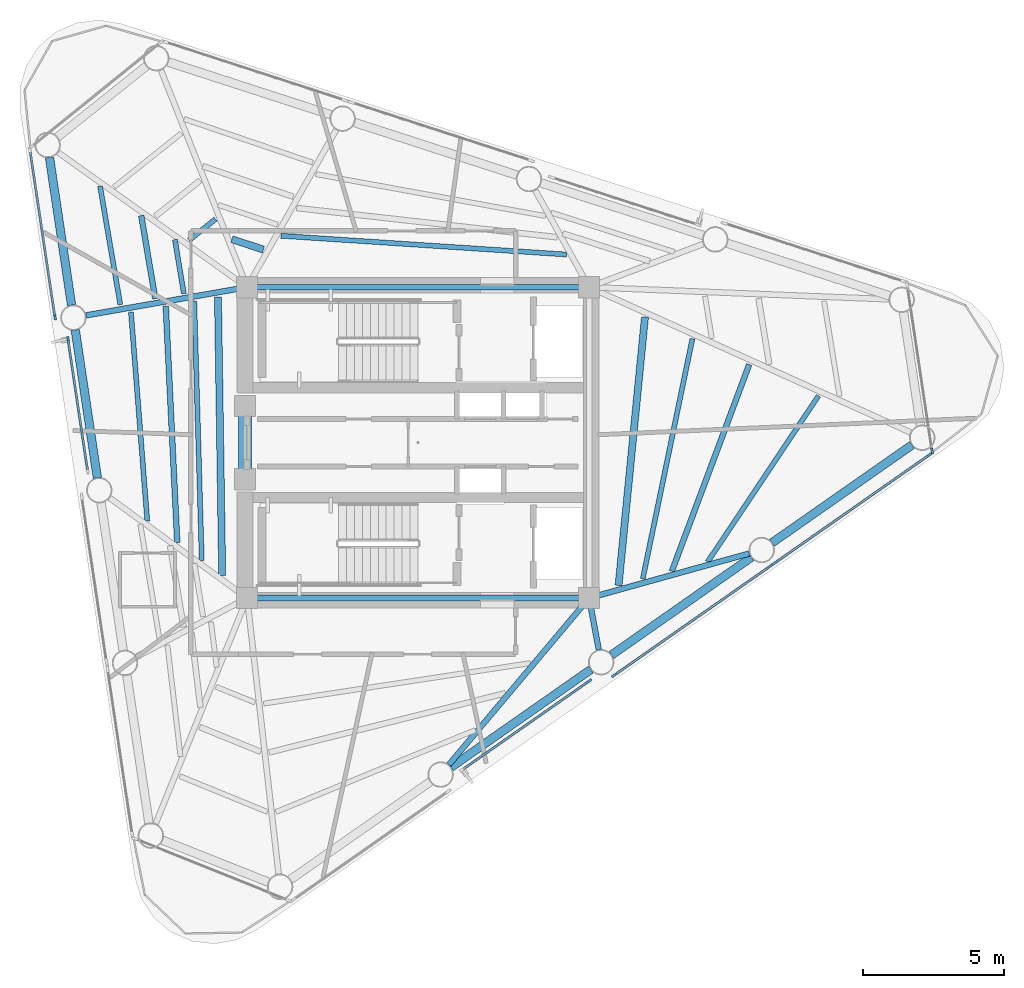
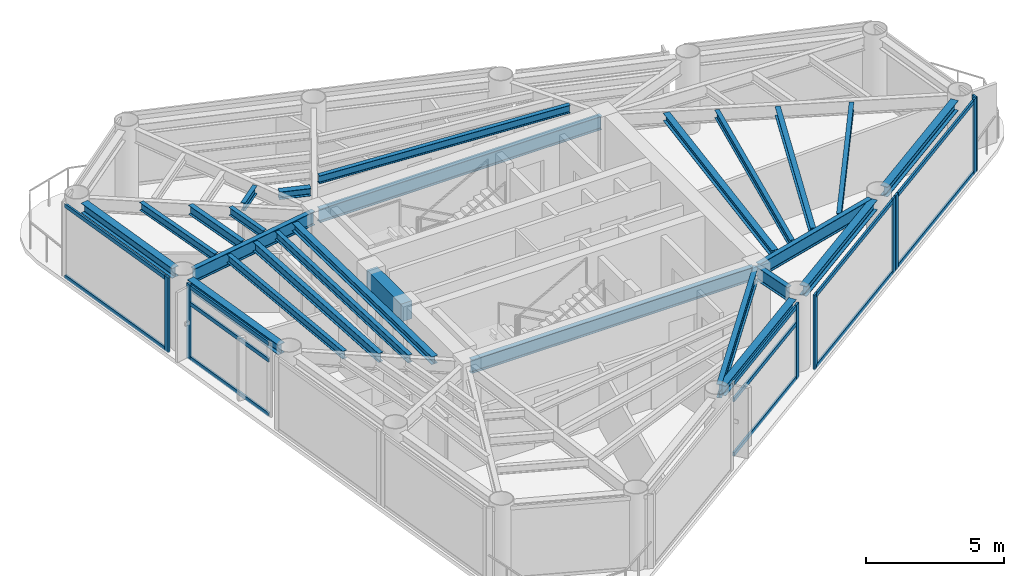
# One storey, part 2 of 9: 26 beams, 20 members, 6 elements without a shape of their own.
"""IFC4 building model written with IfcOpenShell, lengths in metres."""

from ifc_helpers import new_model, si_unit, direction, frame, origin, origin_2d, place, context, subcontext, project, spatial, rectangle, i_section, extrude, source, transform, mapped, material, layer, layer_set, material_profile, profile_set, type_object, element, aggregate, save


model = new_model("IFC4")

# Units and contexts
model_context = context("Model", 3, precision=1e-05, world=origin(), true_north=direction((0.0, 1.0)))
body_context = subcontext(model_context, "Body", "Model", "MODEL_VIEW")
ifc_project = project(units=[si_unit("LENGTHUNIT", "METRE"), si_unit("AREAUNIT", "SQUARE_METRE"), si_unit("VOLUMEUNIT", "CUBIC_METRE"), si_unit("PLANEANGLEUNIT", "RADIAN"), si_unit("MASSUNIT", "GRAM", prefix="KILO")], contexts=[model_context])

# Site, building, storey
site_placement = place(None, origin())
site = spatial("IfcSite", under=ifc_project, at=site_placement, CompositionType="ELEMENT")
building_placement = place(site_placement, origin())
building = spatial("IfcBuilding", under=site, at=building_placement, Name="Yunling Apex Tower", CompositionType="ELEMENT")
storey_placement = place(building_placement, frame((0.0, 0.0, 260.949951171875)))
storey = spatial("IfcBuildingStorey", under=building, at=storey_placement, Name="L63", CompositionType="ELEMENT", Elevation=260.949951171875)

# Beams
ifc_material_1 = material(Name="Concrete C40", Category="concrete")
ifc_material_profile_1 = material_profile(ifc_material_1, rectangle(XDim=0.449951171875, YDim=0.800048828125, at=origin_2d()))
ifc_profile_set_1 = profile_set([ifc_material_profile_1], Name="Concrete C40")
beam_type_1 = type_object("IfcBeamType", Name="BC-CPL-3", PredefinedType="BEAM", material=ifc_profile_set_1)
shared_shape_1 = source(origin(), body_context, "Body", "SweptSolid", [
    extrude(rectangle(XDim=0.449951171875, YDim=0.800048828125, at=origin_2d()), origin(), (0.0, 0.0, 1.0), 2.5),
])
beam_1_placement = place(storey_placement, frame((-6.125, -1.25, 2.820068359375), z_axis=(0.0, 1.0, 0.0), x_axis=(-1.0, 0.0, 0.0)))
element("IfcBeam", 1, at=beam_1_placement, inside=storey, type_object=beam_type_1, Name="L63 Core West Portal Coupling Beam", PredefinedType="BEAM", context=body_context, shape_type="MappedRepresentation", body=[
    mapped(shared_shape_1, transform((0.0, 0.0, 0.0), scale=1.0)),
])
ifc_material_2 = material(Name="Steel Q355B", Category="steel")
ifc_material_profile_2 = material_profile(ifc_material_2, i_section(OverallWidth=0.199951171875, OverallDepth=0.60009765625, WebThickness=0.010986328125, FlangeThickness=0.01708984375, FilletRadius=0.02197265625, at=origin_2d()))
ifc_profile_set_2 = profile_set([ifc_material_profile_2], Name="Steel Q355B")
beam_type_2 = type_object("IfcBeamType", Name="BG-PRI-5", PredefinedType="USERDEFINED", material=ifc_profile_set_2)
shared_shape_2 = source(origin(), body_context, "Body", "SweptSolid", [
    extrude(i_section(OverallWidth=0.199951171875, OverallDepth=0.60009765625, WebThickness=0.010986328125, FlangeThickness=0.01708984375, FilletRadius=0.02197265625, at=origin_2d()), origin(), (0.0, 0.0, 1.0), 11.7998046875),
])
for number, where, z_axis, x_axis, name in (
    (2, (-5.89990234375, -5.5, 2.920166015625), (1.0, 0.0, 0.0), (0.0, 1.0, 0.0), "L63 Core Ring Tie Beam 1"),
    (3, (5.89990234375, 5.5, 2.920166015625), (-1.0, 0.0, 0.0), (0.0, -1.0, 0.0), "L63 Core Ring Tie Beam 3"),
):
    element("IfcBeam", number, at=place(storey_placement, frame(where, z_axis=z_axis, x_axis=x_axis)), inside=storey, type_object=beam_type_2, Name=name, ObjectType="GIRDER", PredefinedType="USERDEFINED", context=body_context, shape_type="MappedRepresentation", body=[
        mapped(shared_shape_2, transform((0.0, 0.0, 0.0), scale=1.0)),
    ])
ifc_material_profile_3 = material_profile(ifc_material_2, i_section(OverallWidth=0.300048828125, OverallDepth=0.43994140625, WebThickness=0.010986328125, FlangeThickness=0.01806640625, FilletRadius=0.02197265625, at=origin_2d()))
ifc_profile_set_3 = profile_set([ifc_material_profile_3], Name="Steel Q355B")
beam_type_3 = type_object("IfcBeamType", Name="BP-SPN-3", PredefinedType="SPANDREL", material=ifc_profile_set_3)
shared_shape_3 = source(origin(), body_context, "Body", "SweptSolid", [
    extrude(i_section(OverallWidth=0.300048828125, OverallDepth=0.43994140625, WebThickness=0.010986328125, FlangeThickness=0.01806640625, FilletRadius=0.02197265625, at=origin_2d()), origin(), (0.0, 0.0, 1.0), 6.043701171875),
])
for number, where, z_axis, x_axis, name in (
    (4, (1.160888671875, -11.490478515625, 3.0), (0.819546828705, 0.5730122124, 0.0), (-0.5730122124, 0.819546828705, 0.0), "L63 Perimeter Spandrel Beam 2"),
    (5, (6.841796875, -7.5185546875, 3.0), (0.819546828705, 0.5730122124, 0.0), (-0.5730122124, 0.819546828705, 0.0), "L63 Perimeter Spandrel Beam 3"),
    (6, (12.522705078125, -3.546630859375, 3.0), (0.819546828705, 0.5730122124, 0.0), (-0.5730122124, 0.819546828705, 0.0), "L63 Perimeter Spandrel Beam 4"),
):
    element("IfcBeam", number, at=place(storey_placement, frame(where, z_axis=z_axis, x_axis=x_axis)), inside=storey, type_object=beam_type_3, Name=name, PredefinedType="SPANDREL", context=body_context, shape_type="MappedRepresentation", body=[
        mapped(shared_shape_3, transform((0.0, 0.0, 0.0), scale=1.0)),
    ])
shared_shape_4 = source(origin(), body_context, "Body", "SweptSolid", [
    extrude(i_section(OverallWidth=0.300048828125, OverallDepth=0.43994140625, WebThickness=0.010986328125, FlangeThickness=0.01806640625, FilletRadius=0.02197265625, at=origin_2d()), origin(), (0.0, 0.0, 1.0), 5.289306640625),
])
for number, where, z_axis, x_axis, name in (
    (7, (-13.044189453125, 10.09326171875, 3.0), (0.147841619944, -0.989011049186, 0.0), (0.989011049186, 0.147841619944, 0.0), "L63 Perimeter Spandrel Beam 11"),
    (8, (-12.131103515625, 3.98388671875, 3.0), (0.147796471114, -0.989017797174, 0.0), (0.989017797174, 0.147796471114, 0.0), "L63 Perimeter Spandrel Beam 12"),
):
    element("IfcBeam", number, at=place(storey_placement, frame(where, z_axis=z_axis, x_axis=x_axis)), inside=storey, type_object=beam_type_3, Name=name, PredefinedType="SPANDREL", context=body_context, shape_type="MappedRepresentation", body=[
        mapped(shared_shape_4, transform((0.0, 0.0, 0.0), scale=1.0)),
    ])
shared_shape_5 = source(origin(), body_context, "Body", "SweptSolid", [
    extrude(i_section(OverallWidth=0.199951171875, OverallDepth=0.60009765625, WebThickness=0.010986328125, FlangeThickness=0.01708984375, FilletRadius=0.02197265625, at=origin_2d()), origin(), (0.0, 0.0, 1.0), 7.622314453125),
])
beam_2_placement = place(storey_placement, frame((1.091796875, -11.394287109375, 2.920166015625), z_axis=(0.64373126237, 0.765251633025, 0.0), x_axis=(-0.765251633025, 0.64373126237, 0.0)))
element("IfcBeam", 9, at=beam_2_placement, inside=storey, type_object=beam_type_2, Name="L63 Radial Primary Girder R02", ObjectType="GIRDER", PredefinedType="USERDEFINED", context=body_context, shape_type="MappedRepresentation", body=[
    mapped(shared_shape_5, transform((0.0, 0.0, 0.0), scale=1.0)),
])
shared_shape_6 = source(origin(), body_context, "Body", "SweptSolid", [
    extrude(i_section(OverallWidth=0.199951171875, OverallDepth=0.60009765625, WebThickness=0.010986328125, FlangeThickness=0.01708984375, FilletRadius=0.02197265625, at=origin_2d()), origin(), (0.0, 0.0, 1.0), 1.775146484375),
])
beam_3_placement = place(storey_placement, frame((6.393310546875, -7.322998046875, 2.920166015625), z_axis=(-0.185127194989, 0.982714567754, 0.0), x_axis=(-0.982714567754, -0.185127194989, 0.0)))
element("IfcBeam", 10, at=beam_3_placement, inside=storey, type_object=beam_type_2, Name="L63 Radial Primary Girder R03", ObjectType="GIRDER", PredefinedType="USERDEFINED", context=body_context, shape_type="MappedRepresentation", body=[
    mapped(shared_shape_6, transform((0.0, 0.0, 0.0), scale=1.0)),
])
shared_shape_7 = source(origin(), body_context, "Body", "SweptSolid", [
    extrude(i_section(OverallWidth=0.199951171875, OverallDepth=0.60009765625, WebThickness=0.010986328125, FlangeThickness=0.01708984375, FilletRadius=0.02197265625, at=origin_2d()), origin(), (0.0, 0.0, 1.0), 5.802490234375),
])
beam_4_placement = place(storey_placement, frame((11.717529296875, -3.923828125, 2.920166015625), z_axis=(-0.963437091081, -0.267934640405, 0.0), x_axis=(0.267934640405, -0.963437091081, 0.0)))
element("IfcBeam", 11, at=beam_4_placement, inside=storey, type_object=beam_type_2, Name="L63 Radial Primary Girder R04", ObjectType="GIRDER", PredefinedType="USERDEFINED", context=body_context, shape_type="MappedRepresentation", body=[
    mapped(shared_shape_7, transform((0.0, 0.0, 0.0), scale=1.0)),
])
shared_shape_8 = source(origin(), body_context, "Body", "SweptSolid", [
    extrude(i_section(OverallWidth=0.199951171875, OverallDepth=0.60009765625, WebThickness=0.010986328125, FlangeThickness=0.01708984375, FilletRadius=0.02197265625, at=origin_2d()), origin(), (0.0, 0.0, 1.0), 5.7021484375),
])
beam_5_placement = place(storey_placement, frame((-11.74560546875, 4.501953125, 2.920166015625), z_axis=(0.984994459553, 0.172585963073, 0.0), x_axis=(-0.172585963073, 0.984994459553, 0.0)))
element("IfcBeam", 12, at=beam_5_placement, inside=storey, type_object=beam_type_2, Name="L63 Radial Primary Girder R12", ObjectType="GIRDER", PredefinedType="USERDEFINED", context=body_context, shape_type="MappedRepresentation", body=[
    mapped(shared_shape_8, transform((0.0, 0.0, 0.0), scale=1.0)),
])
ifc_material_profile_4 = material_profile(ifc_material_2, i_section(OverallWidth=0.199951171875, OverallDepth=0.39990234375, WebThickness=0.008056640625, FlangeThickness=0.012939453125, FilletRadius=0.01611328125, at=origin_2d()))
ifc_profile_set_4 = profile_set([ifc_material_profile_4], Name="Steel Q355B")
beam_type_4 = type_object("IfcBeamType", Name="BS-SEC-4", PredefinedType="BEAM", material=ifc_profile_set_4)
shared_shape_9 = source(origin(), body_context, "Body", "SweptSolid", [
    extrude(i_section(OverallWidth=0.199951171875, OverallDepth=0.39990234375, WebThickness=0.008056640625, FlangeThickness=0.012939453125, FilletRadius=0.01611328125, at=origin_2d()), origin(), (0.0, 0.0, 1.0), 7.810546875),
])
beam_6_placement = place(storey_placement, frame((8.978515625, -4.551513671875, 3.02001953125), z_axis=(0.350554744198, 0.936542242144, 0.0), x_axis=(-0.936542242144, 0.350554744198, 0.0)))
element("IfcBeam", 13, at=beam_6_placement, inside=storey, type_object=beam_type_4, Name="L63 Composite Floor Beam BS-4", PredefinedType="BEAM", context=body_context, shape_type="MappedRepresentation", body=[
    mapped(shared_shape_9, transform((0.0, 0.0, 0.0), scale=1.0)),
])
ifc_material_profile_5 = material_profile(ifc_material_2, i_section(OverallWidth=0.175048828125, OverallDepth=0.35009765625, WebThickness=0.007080078125, FlangeThickness=0.010986328125, FilletRadius=0.013916015625, at=origin_2d()))
ifc_profile_set_5 = profile_set([ifc_material_profile_5], Name="Steel Q355B")
beam_type_5 = type_object("IfcBeamType", Name="BJ-JST-1", PredefinedType="JOIST", material=ifc_profile_set_5)
shared_shape_10 = source(origin(), body_context, "Body", "SweptSolid", [
    extrude(i_section(OverallWidth=0.175048828125, OverallDepth=0.35009765625, WebThickness=0.007080078125, FlangeThickness=0.010986328125, FilletRadius=0.013916015625, at=origin_2d()), origin(), (0.0, 0.0, 1.0), 7.07373046875),
])
beam_7_placement = place(storey_placement, frame((10.240966796875, -4.22607421875, 3.045166015625), z_axis=(0.555384960756, 0.831593377418, 0.0), x_axis=(-0.831593377418, 0.555384960756, 0.0)))
element("IfcBeam", 14, at=beam_7_placement, inside=storey, type_object=beam_type_5, Name="L63 Composite Floor Joist BJ1-4", PredefinedType="JOIST", context=body_context, shape_type="MappedRepresentation", body=[
    mapped(shared_shape_10, transform((0.0, 0.0, 0.0), scale=1.0)),
])
shared_shape_11 = source(origin(), body_context, "Body", "SweptSolid", [
    extrude(i_section(OverallWidth=0.175048828125, OverallDepth=0.35009765625, WebThickness=0.007080078125, FlangeThickness=0.010986328125, FilletRadius=0.013916015625, at=origin_2d()), origin(), (0.0, 0.0, 1.0), 8.68017578125),
])
beam_8_placement = place(storey_placement, frame((7.948486328125, -4.824462890625, 3.045166015625), z_axis=(0.202510736311, 0.97928004252, 0.0), x_axis=(-0.97928004252, 0.202510736311, 0.0)))
element("IfcBeam", 15, at=beam_8_placement, inside=storey, type_object=beam_type_5, Name="L63 Composite Floor Joist BJ3-4", PredefinedType="JOIST", context=body_context, shape_type="MappedRepresentation", body=[
    mapped(shared_shape_11, transform((0.0, 0.0, 0.0), scale=1.0)),
])
ifc_material_profile_6 = material_profile(ifc_material_2, i_section(OverallWidth=0.25, OverallDepth=0.340087890625, WebThickness=0.009033203125, FlangeThickness=0.013916015625, FilletRadius=0.01806640625, at=origin_2d()))
ifc_profile_set_6 = profile_set([ifc_material_profile_6], Name="Steel Q355B")
beam_type_6 = type_object("IfcBeamType", Name="BJ-JST-2", PredefinedType="JOIST", material=ifc_profile_set_6)
shared_shape_12 = source(origin(), body_context, "Body", "SweptSolid", [
    extrude(i_section(OverallWidth=0.25, OverallDepth=0.340087890625, WebThickness=0.009033203125, FlangeThickness=0.013916015625, FilletRadius=0.01806640625, at=origin_2d()), origin(), (0.0, 0.0, 1.0), 9.54052734375),
])
beam_9_placement = place(storey_placement, frame((7.093017578125, -5.05517578125, 3.050048828125), z_axis=(0.098008759691, 0.995185552057, 0.0), x_axis=(-0.995185552057, 0.098008759691, 0.0)))
element("IfcBeam", 16, at=beam_9_placement, inside=storey, type_object=beam_type_6, Name="L63 Composite Floor Joist BJ2-4", PredefinedType="JOIST", context=body_context, shape_type="MappedRepresentation", body=[
    mapped(shared_shape_12, transform((0.0, 0.0, 0.0), scale=1.0)),
])
shared_shape_13 = source(origin(), body_context, "Body", "SweptSolid", [
    extrude(i_section(OverallWidth=0.175048828125, OverallDepth=0.35009765625, WebThickness=0.007080078125, FlangeThickness=0.010986328125, FilletRadius=0.013916015625, at=origin_2d()), origin(), (0.0, 0.0, 1.0), 10.130615234375),
])
beam_10_placement = place(storey_placement, frame((5.254150390625, 6.654541015625, 3.045166015625), z_axis=(-0.997852458327, 0.065501690135, 0.0), x_axis=(-0.065501690135, -0.997852458327, 0.0)))
element("IfcBeam", 17, at=beam_10_placement, inside=storey, type_object=beam_type_5, Name="L63 Composite Floor Joist BJ3-8", PredefinedType="JOIST", context=body_context, shape_type="MappedRepresentation", body=[
    mapped(shared_shape_13, transform((0.0, 0.0, 0.0), scale=1.0)),
])
shared_shape_14 = source(origin(), body_context, "Body", "SweptSolid", [
    extrude(i_section(OverallWidth=0.25, OverallDepth=0.340087890625, WebThickness=0.009033203125, FlangeThickness=0.013916015625, FilletRadius=0.01806640625, at=origin_2d()), origin(), (0.0, 0.0, 1.0), 1.1728515625),
])
beam_11_placement = place(storey_placement, frame((-5.4775390625, 6.8291015625, 3.050048828125), z_axis=(-0.949595193506, 0.31347881662, 0.0), x_axis=(-0.31347881662, -0.949595193506, 0.0)))
element("IfcBeam", 18, at=beam_11_placement, inside=storey, type_object=beam_type_6, Name="L63 Composite Floor Joist BJ2-9", PredefinedType="JOIST", context=body_context, shape_type="MappedRepresentation", body=[
    mapped(shared_shape_14, transform((0.0, 0.0, 0.0), scale=1.0)),
])
shared_shape_15 = source(origin(), body_context, "Body", "SweptSolid", [
    extrude(i_section(OverallWidth=0.175048828125, OverallDepth=0.35009765625, WebThickness=0.007080078125, FlangeThickness=0.010986328125, FilletRadius=0.013916015625, at=origin_2d()), origin(), (0.0, 0.0, 1.0), 1.2021484375),
])
beam_12_placement = place(storey_placement, frame((-7.169921875, 7.9072265625, 3.045166015625), z_axis=(-0.781225299788, -0.624249173785, 0.0), x_axis=(0.624249173785, -0.781225299788, 0.0)))
element("IfcBeam", 19, at=beam_12_placement, inside=storey, type_object=beam_type_5, Name="L63 Composite Floor Joist BJ3-10", PredefinedType="JOIST", context=body_context, shape_type="MappedRepresentation", body=[
    mapped(shared_shape_15, transform((0.0, 0.0, 0.0), scale=1.0)),
])
shared_shape_16 = source(origin(), body_context, "Body", "SweptSolid", [
    extrude(i_section(OverallWidth=0.199951171875, OverallDepth=0.39990234375, WebThickness=0.008056640625, FlangeThickness=0.012939453125, FilletRadius=0.01611328125, at=origin_2d()), origin(), (0.0, 0.0, 1.0), 2.980712890625),
])
beam_13_placement = place(storey_placement, frame((-9.796630859375, 8.031982421875, 3.02001953125), z_axis=(0.166351127682, -0.986066581078, 0.0), x_axis=(0.986066581078, 0.166351127682, 0.0)))
element("IfcBeam", 20, at=beam_13_placement, inside=storey, type_object=beam_type_4, Name="L63 Composite Floor Beam BS-11", PredefinedType="BEAM", context=body_context, shape_type="MappedRepresentation", body=[
    mapped(shared_shape_16, transform((0.0, 0.0, 0.0), scale=1.0)),
])
shared_shape_17 = source(origin(), body_context, "Body", "SweptSolid", [
    extrude(i_section(OverallWidth=0.175048828125, OverallDepth=0.35009765625, WebThickness=0.007080078125, FlangeThickness=0.010986328125, FilletRadius=0.013916015625, at=origin_2d()), origin(), (0.0, 0.0, 1.0), 4.2548828125),
])
beam_14_placement = place(storey_placement, frame((-11.253173828125, 9.0703125, 3.045166015625), z_axis=(0.168352217176, -0.985726904864, 0.0), x_axis=(0.985726904864, 0.168352217176, 0.0)))
element("IfcBeam", 21, at=beam_14_placement, inside=storey, type_object=beam_type_5, Name="L63 Composite Floor Joist BJ1-11", PredefinedType="JOIST", context=body_context, shape_type="MappedRepresentation", body=[
    mapped(shared_shape_17, transform((0.0, 0.0, 0.0), scale=1.0)),
])
shared_shape_18 = source(origin(), body_context, "Body", "SweptSolid", [
    extrude(i_section(OverallWidth=0.175048828125, OverallDepth=0.35009765625, WebThickness=0.007080078125, FlangeThickness=0.010986328125, FilletRadius=0.013916015625, at=origin_2d()), origin(), (0.0, 0.0, 1.0), 1.93798828125),
])
beam_15_placement = place(storey_placement, frame((-8.605224609375, 7.18212890625, 3.045166015625), z_axis=(0.163009711077, -0.986624464573, 0.0), x_axis=(0.986624464573, 0.163009711077, 0.0)))
element("IfcBeam", 22, at=beam_15_placement, inside=storey, type_object=beam_type_5, Name="L63 Composite Floor Joist BJ3-11", PredefinedType="JOIST", context=body_context, shape_type="MappedRepresentation", body=[
    mapped(shared_shape_18, transform((0.0, 0.0, 0.0), scale=1.0)),
])
shared_shape_19 = source(origin(), body_context, "Body", "SweptSolid", [
    extrude(i_section(OverallWidth=0.199951171875, OverallDepth=0.39990234375, WebThickness=0.008056640625, FlangeThickness=0.012939453125, FilletRadius=0.01611328125, at=origin_2d()), origin(), (0.0, 0.0, 1.0), 8.388916015625),
])
beam_16_placement = place(storey_placement, frame((-8.929443359375, 4.834228515625, 3.02001953125), z_axis=(0.048573134041, -0.998819628687, 0.0), x_axis=(0.998819628687, 0.048573134041, 0.0)))
element("IfcBeam", 23, at=beam_16_placement, inside=storey, type_object=beam_type_4, Name="L63 Composite Floor Beam BS-12", PredefinedType="BEAM", context=body_context, shape_type="MappedRepresentation", body=[
    mapped(shared_shape_19, transform((0.0, 0.0, 0.0), scale=1.0)),
])
shared_shape_20 = source(origin(), body_context, "Body", "SweptSolid", [
    extrude(i_section(OverallWidth=0.175048828125, OverallDepth=0.35009765625, WebThickness=0.007080078125, FlangeThickness=0.010986328125, FilletRadius=0.013916015625, at=origin_2d()), origin(), (0.0, 0.0, 1.0), 7.416259765625),
])
beam_17_placement = place(storey_placement, frame((-10.160400390625, 4.6181640625, 3.045166015625), z_axis=(0.077952594819, -0.996957066759, 0.0), x_axis=(0.996957066759, 0.077952594819, 0.0)))
element("IfcBeam", 24, at=beam_17_placement, inside=storey, type_object=beam_type_5, Name="L63 Composite Floor Joist BJ1-12", PredefinedType="JOIST", context=body_context, shape_type="MappedRepresentation", body=[
    mapped(shared_shape_20, transform((0.0, 0.0, 0.0), scale=1.0)),
])
shared_shape_21 = source(origin(), body_context, "Body", "SweptSolid", [
    extrude(i_section(OverallWidth=0.175048828125, OverallDepth=0.35009765625, WebThickness=0.007080078125, FlangeThickness=0.010986328125, FilletRadius=0.013916015625, at=origin_2d()), origin(), (0.0, 0.0, 1.0), 9.189208984375),
])
beam_18_placement = place(storey_placement, frame((-7.92138671875, 5.01123046875, 3.045166015625), z_axis=(0.028986034605, -0.999579816622, 0.0), x_axis=(0.999579816622, 0.028986034605, 0.0)))
element("IfcBeam", 25, at=beam_18_placement, inside=storey, type_object=beam_type_5, Name="L63 Composite Floor Joist BJ3-12", PredefinedType="JOIST", context=body_context, shape_type="MappedRepresentation", body=[
    mapped(shared_shape_21, transform((0.0, 0.0, 0.0), scale=1.0)),
])
shared_shape_22 = source(origin(), body_context, "Body", "SweptSolid", [
    extrude(i_section(OverallWidth=0.25, OverallDepth=0.340087890625, WebThickness=0.009033203125, FlangeThickness=0.013916015625, FilletRadius=0.01806640625, at=origin_2d()), origin(), (0.0, 0.0, 1.0), 9.858642578125),
])
beam_19_placement = place(storey_placement, frame((-7.081298828125, 5.158935546875, 3.050048828125), z_axis=(0.015056743551, -0.999886640812, 0.0), x_axis=(0.999886640812, 0.015056743551, 0.0)))
element("IfcBeam", 26, at=beam_19_placement, inside=storey, type_object=beam_type_6, Name="L63 Composite Floor Joist BJ2-12", PredefinedType="JOIST", context=body_context, shape_type="MappedRepresentation", body=[
    mapped(shared_shape_22, transform((0.0, 0.0, 0.0), scale=1.0)),
])

# Curtain wall, member
ifc_material_3 = material(Name="Bronze anodised aluminium", Category="aluminium")
ifc_layer = layer(ifc_material_3, 0.219970703125)
ifc_layer_set = layer_set([ifc_layer], Name="Bronze anodised aluminium")
curtain_wall_type = type_object("IfcCurtainWallType", Name="CW-SYS-4", PredefinedType="NOTDEFINED", material=ifc_layer_set)
curtain_wall_1_placement = place(storey_placement, origin())
curtain_wall_1 = element("IfcCurtainWall", 27, at=curtain_wall_1_placement, inside=storey, type_object=curtain_wall_type, Name="CW-L63-F1-B2", PredefinedType="NOTDEFINED")
ifc_material_profile_7 = material_profile(ifc_material_3, rectangle(XDim=0.080078125, YDim=0.219970703125, at=origin_2d()))
ifc_profile_set_7 = profile_set([ifc_material_profile_7], Name="Bronze anodised aluminium")
member_type_1 = type_object("IfcMemberType", Name="CW-MUL-4", PredefinedType="MULLION", material=ifc_profile_set_7)
shared_shape_23 = source(origin(), body_context, "Body", "SweptSolid", [
    extrude(rectangle(XDim=0.080078125, YDim=0.219970703125, at=origin_2d()), origin(), (0.0, 0.0, 1.0), 3.320068359375),
])
member_1_placement = place(storey_placement, frame((6.04345703125, -8.44287109375, -0.050048828125), z_axis=(0.0, 0.0, 1.0), x_axis=(-0.57299879219, 0.819556211708, 0.0)))
member_1 = element("IfcMember", 28, at=member_1_placement, type_object=member_type_1, Name="CW-SYS-4 mullion 2", PredefinedType="MULLION", context=body_context, shape_type="MappedRepresentation", body=[
    mapped(shared_shape_23, transform((0.0, 0.0, 0.0), scale=1.0)),
])

# Curtain wall, members
curtain_wall_2_placement = place(storey_placement, origin())
curtain_wall_2 = element("IfcCurtainWall", 29, at=curtain_wall_2_placement, inside=storey, type_object=curtain_wall_type, Name="CW-L63-F1-B3", PredefinedType="NOTDEFINED")
member_2_placement = place(storey_placement, frame((6.94287109375, -8.228759765625, -0.050048828125), z_axis=(0.0, 0.0, 1.0), x_axis=(-0.573010322379, 0.81954815017, 0.0)))
member_2 = element("IfcMember", 30, at=member_2_placement, type_object=member_type_1, Name="CW-SYS-4 mullion 1", PredefinedType="MULLION", context=body_context, shape_type="MappedRepresentation", body=[
    mapped(shared_shape_23, transform((0.0, 0.0, 0.0), scale=1.0)),
])
member_3_placement = place(storey_placement, frame((12.42724609375, -4.394287109375, -0.050048828125), z_axis=(0.0, 0.0, 1.0), x_axis=(-0.573010322379, 0.81954815017, 0.0)))
member_3 = element("IfcMember", 31, at=member_3_placement, type_object=member_type_1, Name="CW-SYS-4 mullion 2", PredefinedType="MULLION", context=body_context, shape_type="MappedRepresentation", body=[
    mapped(shared_shape_23, transform((0.0, 0.0, 0.0), scale=1.0)),
])

curtain_wall_3_placement = place(storey_placement, origin())
curtain_wall_3 = element("IfcCurtainWall", 32, at=curtain_wall_3_placement, inside=storey, type_object=curtain_wall_type, Name="CW-L63-F1-B4", PredefinedType="NOTDEFINED")
member_4_placement = place(storey_placement, frame((12.623779296875, -4.2568359375, -0.050048828125), z_axis=(0.0, 0.0, 1.0), x_axis=(-0.573000403744, 0.819555084976, 0.0)))
member_4 = element("IfcMember", 33, at=member_4_placement, type_object=member_type_1, Name="CW-SYS-4 mullion 1", PredefinedType="MULLION", context=body_context, shape_type="MappedRepresentation", body=[
    mapped(shared_shape_23, transform((0.0, 0.0, 0.0), scale=1.0)),
])
member_5_placement = place(storey_placement, frame((18.108154296875, -0.42236328125, -0.050048828125), z_axis=(0.0, 0.0, 1.0), x_axis=(-0.573000403744, 0.819555084976, 0.0)))
member_5 = element("IfcMember", 34, at=member_5_placement, type_object=member_type_1, Name="CW-SYS-4 mullion 2", PredefinedType="MULLION", context=body_context, shape_type="MappedRepresentation", body=[
    mapped(shared_shape_23, transform((0.0, 0.0, 0.0), scale=1.0)),
])

# Curtain wall, member
curtain_wall_4_placement = place(storey_placement, origin())
curtain_wall_4 = element("IfcCurtainWall", 35, at=curtain_wall_4_placement, inside=storey, type_object=curtain_wall_type, Name="CW-L63-CRN1", PredefinedType="NOTDEFINED")
member_6_placement = place(storey_placement, frame((18.189208984375, -0.2978515625, -0.050048828125), z_axis=(0.0, 0.0, 1.0), x_axis=(-0.989016885218, -0.147802573571, 0.0)))
member_6 = element("IfcMember", 36, at=member_6_placement, type_object=member_type_1, Name="CW-SYS-4 mullion 1", PredefinedType="MULLION", context=body_context, shape_type="MappedRepresentation", body=[
    mapped(shared_shape_23, transform((0.0, 0.0, 0.0), scale=1.0)),
])
aggregate(curtain_wall_4, [member_6])

curtain_wall_5_placement = place(storey_placement, origin())
curtain_wall_5 = element("IfcCurtainWall", 37, at=curtain_wall_5_placement, inside=storey, type_object=curtain_wall_type, Name="CW-L63-F3-B1", PredefinedType="NOTDEFINED")
member_7_placement = place(storey_placement, frame((-12.847412109375, 4.447265625, -0.050048828125), z_axis=(0.0, 0.0, 1.0), x_axis=(0.989016174309, 0.147807330522, 0.0)))
member_7 = element("IfcMember", 38, at=member_7_placement, type_object=member_type_1, Name="CW-SYS-4 mullion 2", PredefinedType="MULLION", context=body_context, shape_type="MappedRepresentation", body=[
    mapped(shared_shape_23, transform((0.0, 0.0, 0.0), scale=1.0)),
])

curtain_wall_6_placement = place(storey_placement, origin())
curtain_wall_6 = element("IfcCurtainWall", 39, at=curtain_wall_6_placement, inside=storey, type_object=curtain_wall_type, Name="CW-L63-F3-B2", PredefinedType="NOTDEFINED")
member_8_placement = place(storey_placement, frame((-12.384033203125, 3.646728515625, -0.050048828125), z_axis=(0.0, 0.0, 1.0), x_axis=(0.989016661745, 0.147804068926, 0.0)))
member_8 = element("IfcMember", 40, at=member_8_placement, type_object=member_type_1, Name="CW-SYS-4 mullion 1", PredefinedType="MULLION", context=body_context, shape_type="MappedRepresentation", body=[
    mapped(shared_shape_23, transform((0.0, 0.0, 0.0), scale=1.0)),
])

# Member
ifc_material_profile_8 = material_profile(ifc_material_3, rectangle(XDim=0.080078125, YDim=0.169921875, at=origin_2d()))
ifc_profile_set_8 = profile_set([ifc_material_profile_8], Name="Bronze anodised aluminium")
member_type_2 = type_object("IfcMemberType", Name="CW-TRN-4", PredefinedType="USERDEFINED", material=ifc_profile_set_8)
shared_shape_24 = source(origin(), body_context, "Body", "SweptSolid", [
    extrude(rectangle(XDim=0.080078125, YDim=0.169921875, at=origin_2d()), origin(), (0.0, 0.0, 1.0), 6.61962890625),
])
member_9_placement = place(storey_placement, frame((12.6533203125, -4.236083984375, 0.0400390625), z_axis=(0.819567916002, 0.572982051255, 0.0), x_axis=(-0.572982051255, 0.819567916002, 0.0)))
member_9 = element("IfcMember", 41, at=member_9_placement, type_object=member_type_2, Name="CW-SYS-4 transom 1.1", ObjectType="TRANSOM", PredefinedType="USERDEFINED", context=body_context, shape_type="MappedRepresentation", body=[
    mapped(shared_shape_24, transform((0.0, 0.0, 0.0), scale=1.0)),
])

member_10_placement = place(storey_placement, frame((12.6533203125, -4.236083984375, 3.179931640625), z_axis=(0.819567916002, 0.572982051255, 0.0), x_axis=(-0.572982051255, 0.819567916002, 0.0)))
member_10 = element("IfcMember", 42, at=member_10_placement, type_object=member_type_2, Name="CW-SYS-4 transom 1.2", ObjectType="TRANSOM", PredefinedType="USERDEFINED", context=body_context, shape_type="MappedRepresentation", body=[
    mapped(shared_shape_24, transform((0.0, 0.0, 0.0), scale=1.0)),
])

aggregate(curtain_wall_3, [member_4, member_5, member_9, member_10])

shared_shape_25 = source(origin(), body_context, "Body", "SweptSolid", [
    extrude(rectangle(XDim=0.080078125, YDim=0.169921875, at=origin_2d()), origin(), (0.0, 0.0, 1.0), 5.379638671875),
])
member_11_placement = place(storey_placement, frame((1.60498046875, -11.546142578125, 0.0400390625), z_axis=(0.819557991913, 0.572996245966, 0.0), x_axis=(-0.572996245966, 0.819557991913, 0.0)))
member_11 = element("IfcMember", 43, at=member_11_placement, type_object=member_type_2, Name="CW-SYS-4 transom 1.1", ObjectType="TRANSOM", PredefinedType="USERDEFINED", context=body_context, shape_type="MappedRepresentation", body=[
    mapped(shared_shape_25, transform((0.0, 0.0, 0.0), scale=1.0)),
])

member_12_placement = place(storey_placement, frame((1.60498046875, -11.546142578125, 2.447265625), z_axis=(0.819557991913, 0.572996245966, 0.0), x_axis=(-0.572996245966, 0.819557991913, 0.0)))
member_12 = element("IfcMember", 44, at=member_12_placement, type_object=member_type_2, Name="CW-SYS-4 transom 1.2", ObjectType="TRANSOM", PredefinedType="USERDEFINED", context=body_context, shape_type="MappedRepresentation", body=[
    mapped(shared_shape_25, transform((0.0, 0.0, 0.0), scale=1.0)),
])

member_13_placement = place(storey_placement, frame((1.60498046875, -11.546142578125, 3.179931640625), z_axis=(0.819557991913, 0.572996245966, 0.0), x_axis=(-0.572996245966, 0.819557991913, 0.0)))
member_13 = element("IfcMember", 45, at=member_13_placement, type_object=member_type_2, Name="CW-SYS-4 transom 1.3", ObjectType="TRANSOM", PredefinedType="USERDEFINED", context=body_context, shape_type="MappedRepresentation", body=[
    mapped(shared_shape_25, transform((0.0, 0.0, 0.0), scale=1.0)),
])

aggregate(curtain_wall_1, [member_1, member_11, member_12, member_13])

shared_shape_26 = source(origin(), body_context, "Body", "SweptSolid", [
    extrude(rectangle(XDim=0.080078125, YDim=0.169921875, at=origin_2d()), origin(), (0.0, 0.0, 1.0), 6.619873046875),
])
member_14_placement = place(storey_placement, frame((6.972412109375, -8.208251953125, 0.0400390625), z_axis=(0.819550596795, 0.573006823077, 0.0), x_axis=(-0.573006823077, 0.819550596795, 0.0)))
member_14 = element("IfcMember", 46, at=member_14_placement, type_object=member_type_2, Name="CW-SYS-4 transom 1.1", ObjectType="TRANSOM", PredefinedType="USERDEFINED", context=body_context, shape_type="MappedRepresentation", body=[
    mapped(shared_shape_26, transform((0.0, 0.0, 0.0), scale=1.0)),
])

member_15_placement = place(storey_placement, frame((6.972412109375, -8.208251953125, 3.179931640625), z_axis=(0.819550596795, 0.573006823077, 0.0), x_axis=(-0.573006823077, 0.819550596795, 0.0)))
member_15 = element("IfcMember", 47, at=member_15_placement, type_object=member_type_2, Name="CW-SYS-4 transom 1.2", ObjectType="TRANSOM", PredefinedType="USERDEFINED", context=body_context, shape_type="MappedRepresentation", body=[
    mapped(shared_shape_26, transform((0.0, 0.0, 0.0), scale=1.0)),
])

aggregate(curtain_wall_2, [member_2, member_3, member_14, member_15])

shared_shape_27 = source(origin(), body_context, "Body", "SweptSolid", [
    extrude(rectangle(XDim=0.080078125, YDim=0.169921875, at=origin_2d()), origin(), (0.0, 0.0, 1.0), 5.865478515625),
])
member_16_placement = place(storey_placement, frame((-13.7197265625, 10.28369140625, 0.0400390625), z_axis=(0.147805126247, -0.989016503732, 0.0), x_axis=(0.989016503732, 0.147805126247, 0.0)))
member_16 = element("IfcMember", 48, at=member_16_placement, type_object=member_type_2, Name="CW-SYS-4 transom 1.1", ObjectType="TRANSOM", PredefinedType="USERDEFINED", context=body_context, shape_type="MappedRepresentation", body=[
    mapped(shared_shape_27, transform((0.0, 0.0, 0.0), scale=1.0)),
])

member_17_placement = place(storey_placement, frame((-13.7197265625, 10.28369140625, 3.179931640625), z_axis=(0.147805126247, -0.989016503732, 0.0), x_axis=(0.989016503732, 0.147805126247, 0.0)))
member_17 = element("IfcMember", 49, at=member_17_placement, type_object=member_type_2, Name="CW-SYS-4 transom 1.2", ObjectType="TRANSOM", PredefinedType="USERDEFINED", context=body_context, shape_type="MappedRepresentation", body=[
    mapped(shared_shape_27, transform((0.0, 0.0, 0.0), scale=1.0)),
])

aggregate(curtain_wall_5, [member_7, member_16, member_17])

shared_shape_28 = source(origin(), body_context, "Body", "SweptSolid", [
    extrude(rectangle(XDim=0.080078125, YDim=0.169921875, at=origin_2d()), origin(), (0.0, 0.0, 1.0), 4.625244140625),
])
member_18_placement = place(storey_placement, frame((-12.378662109375, 3.611328125, 0.0400390625), z_axis=(0.147795810874, -0.989017895838, 0.0), x_axis=(0.989017895838, 0.147795810874, 0.0)))
member_18 = element("IfcMember", 50, at=member_18_placement, type_object=member_type_2, Name="CW-SYS-4 transom 1.1", ObjectType="TRANSOM", PredefinedType="USERDEFINED", context=body_context, shape_type="MappedRepresentation", body=[
    mapped(shared_shape_28, transform((0.0, 0.0, 0.0), scale=1.0)),
])

member_19_placement = place(storey_placement, frame((-12.378662109375, 3.611328125, 2.447265625), z_axis=(0.147795810874, -0.989017895838, 0.0), x_axis=(0.989017895838, 0.147795810874, 0.0)))
member_19 = element("IfcMember", 51, at=member_19_placement, type_object=member_type_2, Name="CW-SYS-4 transom 1.2", ObjectType="TRANSOM", PredefinedType="USERDEFINED", context=body_context, shape_type="MappedRepresentation", body=[
    mapped(shared_shape_28, transform((0.0, 0.0, 0.0), scale=1.0)),
])

member_20_placement = place(storey_placement, frame((-12.378662109375, 3.611328125, 3.179931640625), z_axis=(0.147795810874, -0.989017895838, 0.0), x_axis=(0.989017895838, 0.147795810874, 0.0)))
member_20 = element("IfcMember", 52, at=member_20_placement, type_object=member_type_2, Name="CW-SYS-4 transom 1.3", ObjectType="TRANSOM", PredefinedType="USERDEFINED", context=body_context, shape_type="MappedRepresentation", body=[
    mapped(shared_shape_28, transform((0.0, 0.0, 0.0), scale=1.0)),
])

aggregate(curtain_wall_6, [member_8, member_18, member_19, member_20])

save(model, "model.ifc")
